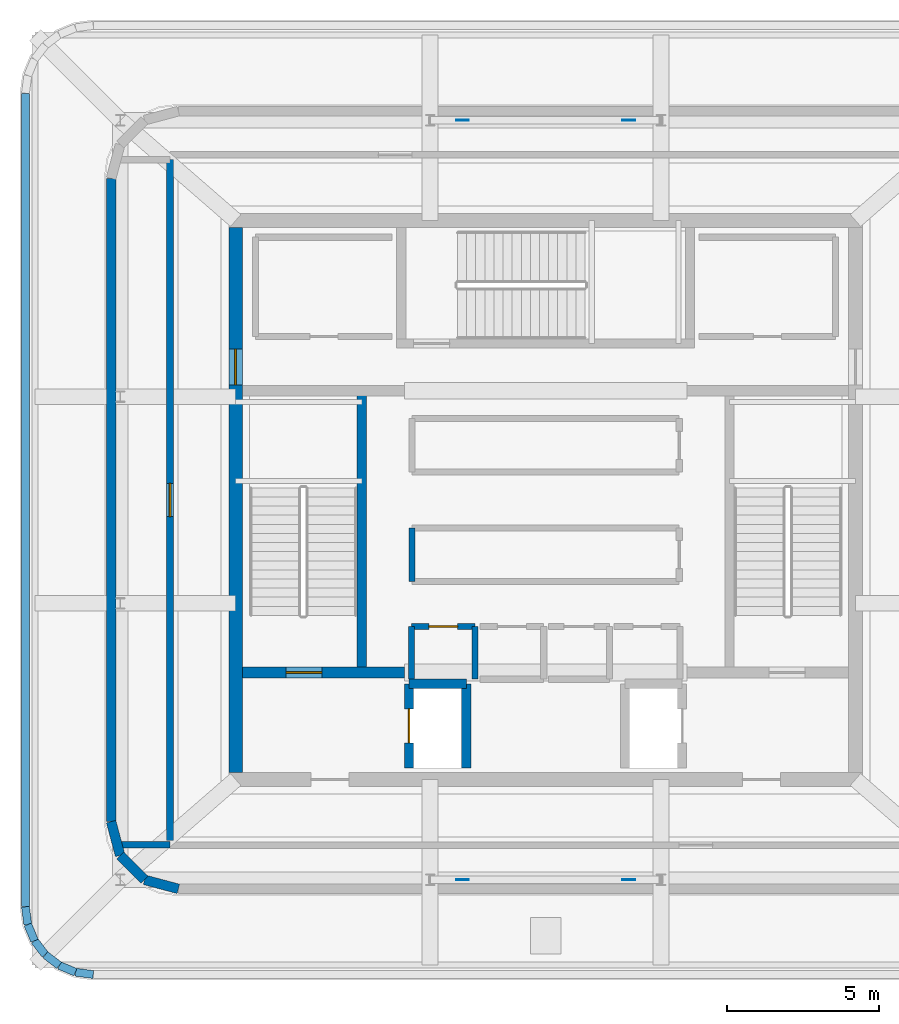
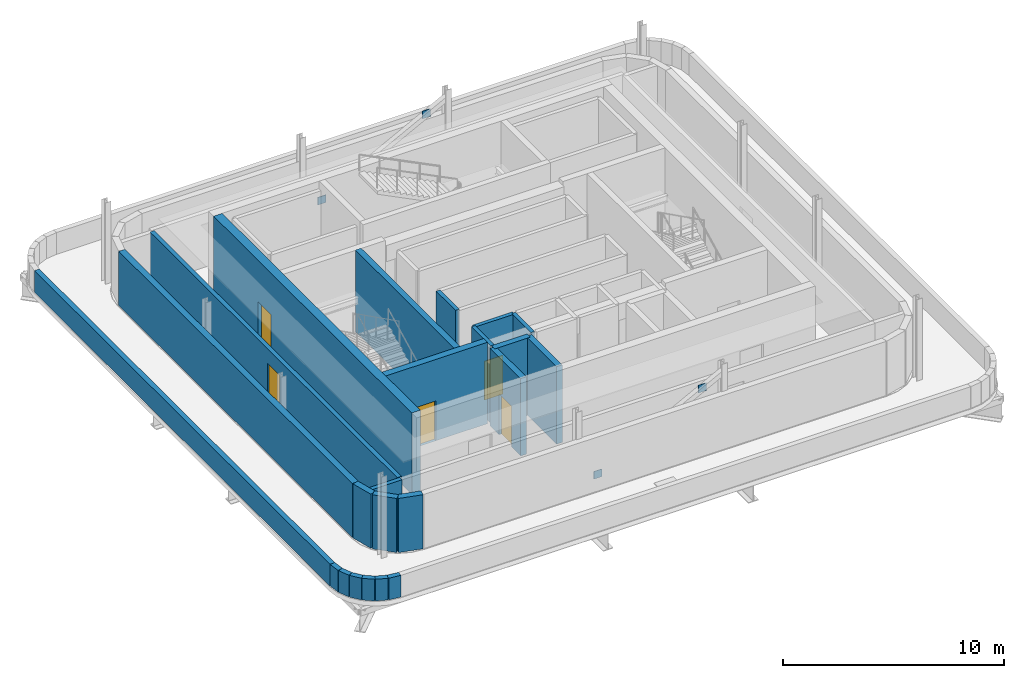
# One storey, part 2 of 5: 23 walls, 5 doors, 4 plates, 5 openings.
"""IFC4 building model written with IfcOpenShell, lengths in metres."""

from ifc_helpers import new_model, si_unit, direction, frame, frame_2d, origin, origin_2d, place, context, subcontext, project, spatial, rectangle, extrude, material, layer, layer_set, type_object, element, fill, save


model = new_model("IFC4")

# Units and contexts
model_context = context("Model", 3, precision=1e-05, world=origin(), true_north=direction((0.0, 1.0)))
body_context = subcontext(model_context, "Body", "Model", "MODEL_VIEW")
ifc_project = project(units=[si_unit("LENGTHUNIT", "METRE"), si_unit("AREAUNIT", "SQUARE_METRE"), si_unit("VOLUMEUNIT", "CUBIC_METRE"), si_unit("PLANEANGLEUNIT", "RADIAN"), si_unit("MASSUNIT", "GRAM", prefix="KILO")], contexts=[model_context])

# Site, building, storey
site_placement = place(None, origin())
site = spatial("IfcSite", under=ifc_project, at=site_placement, CompositionType="ELEMENT")
building_placement = place(site_placement, origin())
building = spatial("IfcBuilding", under=site, at=building_placement, Name="Punatoya Terracotta Tower", CompositionType="ELEMENT")
storey_placement = place(building_placement, frame((0.0, 0.0, 361.800048828125)))
storey = spatial("IfcBuildingStorey", under=building, at=storey_placement, Name="L85", CompositionType="ELEMENT", Elevation=361.800048828125)

# Plates
ifc_material_1 = material(Name="Steel S460", Category="steel")
ifc_layer_1 = layer(ifc_material_1, 0.031982421875)
ifc_layer_set_1 = layer_set([ifc_layer_1], Name="Steel S460")
plate_type = type_object("IfcPlateType", Name="PLT-END-32", PredefinedType="USERDEFINED", material=ifc_layer_set_1)
for number, where, z_axis, x_axis, name in (
    (1, (-2.736083984375, -12.5, 0.364501953125), (0.0, 0.0, 1.0), (1.0, 0.0, 0.0), "L85 Crown Brace S End Plate 1"),
    (2, (2.736083984375, -12.5, 3.215576171875), (0.0, 0.0, 1.0), (1.0, 0.0, 0.0), "L85 Crown Brace S End Plate 2"),
    (3, (-2.736083984375, 12.5, 0.364501953125), (0.0, 0.0, 1.0), (1.0, 0.0, 0.0), "L85 Crown Brace N End Plate 1"),
    (4, (2.736083984375, 12.5, 3.215576171875), (0.0, 0.0, 1.0), (1.0, 0.0, 0.0), "L85 Crown Brace N End Plate 2"),
):
    element("IfcPlate", number, at=place(storey_placement, frame(where, z_axis=z_axis, x_axis=x_axis)), inside=storey, type_object=plate_type, Name=name, ObjectType="FLANGE_PLATE", PredefinedType="USERDEFINED", context=body_context, shape_type="SweptSolid", body=[
        extrude(rectangle(XDim=0.419921875, YDim=0.031982421875, at=origin_2d()), origin(), (0.0, 0.0, 1.0), 0.419921875),
    ])

# Wall, opening, door
ifc_material_2 = material(Name="Concrete C50/60", Category="concrete")
ifc_layer_2 = layer(ifc_material_2, 0.449951171875)
ifc_layer_set_2 = layer_set([ifc_layer_2], Name="Concrete C50/60")
wall_type_1 = type_object("IfcWallType", Name="WL-COR-450", PredefinedType="SHEAR", material=ifc_layer_set_2)
wall_1_placement = place(storey_placement, frame((-10.199951171875, -8.97509765625, 0.0), z_axis=(0.0, 0.0, 1.0), x_axis=(0.0, 1.0, 0.0)))
wall_1 = element("IfcWall", 5, at=wall_1_placement, inside=storey, type_object=wall_type_1, Name="L85 Core Shear Wall W", PredefinedType="SHEAR", context=body_context, shape_type="SweptSolid", body=[
    extrude(rectangle(XDim=17.9501953125, YDim=0.449951171875, at=frame_2d((8.97509765625, 0.0))), origin(), (0.0, 0.0, 1.0), 4.5),
])
opening_1_placement = place(wall_1_placement, frame((12.764892578125, 0.0, 0.0)))
opening_1 = element("IfcOpeningElement", 6, at=opening_1_placement, cuts=wall_1, Name="Opening SD-01", PredefinedType="OPENING", context=body_context, shape_type="SweptSolid", body=[
    extrude(rectangle(XDim=1.179931640625, YDim=2.199951171875, at=frame_2d((0.58984375, 1.10009765625))), frame((0.0, 0.23486328125, 0.0), z_axis=(0.0, -1.0, 0.0), x_axis=(1.0, 0.0, 0.0)), (0.0, 0.0, 1.0), 0.469970703125),
])
ifc_material_3 = material(Name="Galvanised Steel Pressurized Stair Fire Door", Category="steel")
door_type_1 = type_object("IfcDoorType", Name="DR-STR-1180", OperationType="NOTDEFINED", PredefinedType="DOOR", material=ifc_material_3)
door_1_placement = place(opening_1_placement, origin())
door_1 = element("IfcDoor", 7, at=door_1_placement, inside=storey, type_object=door_type_1, Name="L85 Central Lift Lobby West Fire Door", OperationType="SINGLE_SWING_LEFT", OverallHeight=2.199951171875, OverallWidth=1.179931640625, PredefinedType="DOOR", context=body_context, shape_type="SweptSolid", body=[
    extrude(rectangle(XDim=1.179931640625, YDim=2.199951171875, at=frame_2d((0.58984375, 1.10009765625))), frame((0.0, 0.02490234375, 0.0), z_axis=(0.0, -1.0, 0.0), x_axis=(1.0, 0.0, 0.0)), (0.0, 0.0, 1.0), 0.050048828125),
])
fill(opening_1, door_1)

# Walls
ifc_material_4 = material(Name="Precast concrete C40/50", Category="concrete")
ifc_layer_3 = layer(ifc_material_4, 0.320068359375)
ifc_layer_set_3 = layer_set([ifc_layer_3], Name="Precast concrete C40/50")
wall_type_2 = type_object("IfcWallType", Name="WL-EXT-320", PredefinedType="SOLIDWALL", material=ifc_layer_set_3)
wall_2_placement = place(storey_placement, frame((-14.300048828125, 10.5869140625, 0.0), z_axis=(0.0, 0.0, 1.0), x_axis=(0.0, -1.0, 0.0)))
element("IfcWall", 8, at=wall_2_placement, inside=storey, type_object=wall_type_2, Name="L85 Terracotta Louvre Plant Enclosure W", PredefinedType="SOLIDWALL", context=body_context, shape_type="SweptSolid", body=[
    extrude(rectangle(XDim=21.173828125, YDim=0.320068359375, at=frame_2d((10.5869140625, 0.0))), origin(), (0.0, 0.0, 1.0), 2.993896484375),
])
wall_3_placement = place(storey_placement, frame((-14.300048828125, -10.5869140625, 0.0), z_axis=(0.0, 0.0, 1.0), x_axis=(0.25727979053, -0.966336954372, 0.0)))
element("IfcWall", 9, at=wall_3_placement, inside=storey, type_object=wall_type_2, Name="L85 Rounded Terracotta Corner Pier 14", PredefinedType="SOLIDWALL", context=body_context, shape_type="SweptSolid", body=[
    extrude(rectangle(XDim=1.151123046875, YDim=0.320068359375, at=frame_2d((0.57568359375, 0.0))), origin(), (0.0, 0.0, 1.0), 2.993896484375),
])
wall_4_placement = place(storey_placement, frame((-14.00390625, -11.69921875, 0.0), z_axis=(0.0, 0.0, 1.0), x_axis=(0.707106781187, -0.707106781187, 0.0)))
element("IfcWall", 10, at=wall_4_placement, inside=storey, type_object=wall_type_2, Name="L85 Rounded Terracotta Corner Pier 15", PredefinedType="SOLIDWALL", context=body_context, shape_type="SweptSolid", body=[
    extrude(rectangle(XDim=1.137939453125, YDim=0.320068359375, at=frame_2d((0.56884765625, 0.0))), origin(), (0.0, 0.0, 1.0), 2.993896484375),
])
wall_5_placement = place(storey_placement, frame((-13.19921875, -12.50390625, 0.0), z_axis=(0.0, 0.0, 1.0), x_axis=(0.966336954372, -0.25727979053, 0.0)))
element("IfcWall", 11, at=wall_5_placement, inside=storey, type_object=wall_type_2, Name="L85 Rounded Terracotta Corner Pier 16", PredefinedType="SOLIDWALL", context=body_context, shape_type="SweptSolid", body=[
    extrude(rectangle(XDim=1.151123046875, YDim=0.320068359375, at=frame_2d((0.57568359375, 0.0))), origin(), (0.0, 0.0, 1.0), 2.993896484375),
])
ifc_material_5 = material(Name="Concrete C40/50", Category="concrete")
ifc_layer_4 = layer(ifc_material_5, 0.219970703125)
ifc_layer_set_4 = layer_set([ifc_layer_4], Name="Concrete C40/50")
wall_type_3 = type_object("IfcWallType", Name="WL-FIR-220", PredefinedType="SOLIDWALL", material=ifc_layer_set_4)
wall_6_placement = place(storey_placement, frame((-14.126708984375, -11.35009765625, 0.0), z_axis=(0.0, 0.0, 1.0), x_axis=(1.0, 0.0, 0.0)))
element("IfcWall", 12, at=wall_6_placement, inside=storey, type_object=wall_type_3, Name="L85 Crown South Heat-Rejection and Cooling-Tower Plant Partition 26", PredefinedType="SOLIDWALL", context=body_context, shape_type="SweptSolid", body=[
    extrude(rectangle(XDim=1.7666015625, YDim=0.219970703125, at=frame_2d((0.88330078125, 0.0))), origin(), (0.0, 0.0, 1.0), 2.993896484375),
])

# Wall, opening, door
wall_7_placement = place(storey_placement, frame((-12.360107421875, 11.199951171875, 0.0), z_axis=(0.0, 0.0, 1.0), x_axis=(0.0, -1.0, 0.0)))
wall_7 = element("IfcWall", 13, at=wall_7_placement, inside=storey, type_object=wall_type_3, Name="L85 Crown West Smoke-Extract and Fan Plant Room Partition 30", PredefinedType="SOLIDWALL", context=body_context, shape_type="SweptSolid", body=[
    extrude(rectangle(XDim=22.39990234375, YDim=0.219970703125, at=frame_2d((11.199951171875, 0.0))), origin(), (0.0, 0.0, 1.0), 2.993896484375),
])
opening_2_placement = place(wall_7_placement, frame((10.64990234375, 0.0, 0.0)))
opening_2 = element("IfcOpeningElement", 14, at=opening_2_placement, cuts=wall_7, Name="Opening FD-P1", PredefinedType="OPENING", context=body_context, shape_type="SweptSolid", body=[
    extrude(rectangle(XDim=1.10009765625, YDim=2.199951171875, at=frame_2d((0.550048828125, 1.10009765625))), frame((0.0, 0.119873046875, 0.0), z_axis=(0.0, -1.0, 0.0), x_axis=(1.0, 0.0, 0.0)), (0.0, 0.0, 1.0), 0.239990234375),
])
ifc_material_6 = material(Name="Galvanised Steel Plant Fire Door", Category="steel")
door_type_2 = type_object("IfcDoorType", Name="DR-PLT-1100", OperationType="NOTDEFINED", PredefinedType="DOOR", material=ifc_material_6)
door_2_placement = place(opening_2_placement, origin())
door_2 = element("IfcDoor", 15, at=door_2_placement, inside=storey, type_object=door_type_2, Name="L85 Crown West Smoke-Extract and Fan Plant Room Fire Door", OperationType="SINGLE_SWING_RIGHT", OverallHeight=2.199951171875, OverallWidth=1.10009765625, PredefinedType="DOOR", context=body_context, shape_type="SweptSolid", body=[
    extrude(rectangle(XDim=1.10009765625, YDim=2.199951171875, at=frame_2d((0.550048828125, 1.10009765625))), frame((0.0, 0.02490234375, 0.0), z_axis=(0.0, -1.0, 0.0), x_axis=(1.0, 0.0, 0.0)), (0.0, 0.0, 1.0), 0.050048828125),
])
fill(opening_2, door_2)

# Wall
ifc_layer_5 = layer(ifc_material_5, 0.199951171875)
ifc_layer_set_5 = layer_set([ifc_layer_5], Name="Concrete C40/50")
wall_type_4 = type_object("IfcWallType", Name="WL-INT-200", PredefinedType="SOLIDWALL", material=ifc_layer_set_5)
wall_8_placement = place(storey_placement, frame((-2.320068359375, -5.89990234375, 0.0), z_axis=(0.0, 0.0, 1.0), x_axis=(0.0, 1.0, 0.0)))
element("IfcWall", 16, at=wall_8_placement, inside=storey, type_object=wall_type_4, Name="L85 Staff Male Washroom Partition 01", PredefinedType="SOLIDWALL", context=body_context, shape_type="SweptSolid", body=[
    extrude(rectangle(XDim=1.739990234375, YDim=0.199951171875, at=frame_2d((0.8701171875, 0.0))), origin(), (0.0, 0.0, 1.0), 4.280029296875),
])

# Wall, opening, door
wall_9_placement = place(storey_placement, frame((-2.320068359375, -4.159912109375, 0.0), z_axis=(0.0, 0.0, 1.0), x_axis=(-1.0, 0.0, 0.0)))
wall_9 = element("IfcWall", 17, at=wall_9_placement, inside=storey, type_object=wall_type_4, Name="L85 Staff Male Washroom Partition 02", PredefinedType="SOLIDWALL", context=body_context, shape_type="SweptSolid", body=[
    extrude(rectangle(XDim=2.099853515625, YDim=0.199951171875, at=frame_2d((1.0498046875, 0.0))), origin(), (0.0, 0.0, 1.0), 4.280029296875),
])
opening_3_placement = place(wall_9_placement, frame((0.574951171875, 0.0, 0.0)))
opening_3 = element("IfcOpeningElement", 18, at=opening_3_placement, cuts=wall_9, Name="Opening WD-01", PredefinedType="OPENING", context=body_context, shape_type="SweptSolid", body=[
    extrude(rectangle(XDim=0.949951171875, YDim=2.14990234375, at=frame_2d((0.47509765625, 1.074951171875))), frame((0.0, 0.10986328125, 0.0), z_axis=(0.0, -1.0, 0.0), x_axis=(1.0, 0.0, 0.0)), (0.0, 0.0, 1.0), 0.219970703125),
])
ifc_material_7 = material(Name="Moisture-Resistant Laminate Timber Leaf", Category="wood")
door_type_3 = type_object("IfcDoorType", Name="DR-WC-950", OperationType="NOTDEFINED", PredefinedType="DOOR", material=ifc_material_7)
door_3_placement = place(opening_3_placement, origin())
door_3 = element("IfcDoor", 19, at=door_3_placement, inside=storey, type_object=door_type_3, Name="L85 Staff Male Washroom Door", OperationType="SINGLE_SWING_LEFT", OverallHeight=2.14990234375, OverallWidth=0.949951171875, PredefinedType="DOOR", context=body_context, shape_type="SweptSolid", body=[
    extrude(rectangle(XDim=0.949951171875, YDim=2.14990234375, at=frame_2d((0.47509765625, 1.074951171875))), frame((0.0, 0.02490234375, 0.0), z_axis=(0.0, -1.0, 0.0), x_axis=(1.0, 0.0, 0.0)), (0.0, 0.0, 1.0), 0.050048828125),
])
fill(opening_3, door_3)

# Walls
wall_10_placement = place(storey_placement, frame((-4.419921875, -4.159912109375, 0.0), z_axis=(0.0, 0.0, 1.0), x_axis=(0.0, -1.0, 0.0)))
element("IfcWall", 20, at=wall_10_placement, inside=storey, type_object=wall_type_4, Name="L85 Staff Male Washroom Partition 03", PredefinedType="SOLIDWALL", context=body_context, shape_type="SweptSolid", body=[
    extrude(rectangle(XDim=1.739990234375, YDim=0.199951171875, at=frame_2d((0.8701171875, 0.0))), origin(), (0.0, 0.0, 1.0), 4.280029296875),
])
wall_11_placement = place(storey_placement, frame((-4.39990234375, -0.919921875, 0.0), z_axis=(0.0, 0.0, 1.0), x_axis=(0.0, -1.0, 0.0)))
element("IfcWall", 21, at=wall_11_placement, inside=storey, type_object=wall_type_4, Name="L85 Crown Emergency Power Switchroom Partition 14", PredefinedType="SOLIDWALL", context=body_context, shape_type="SweptSolid", body=[
    extrude(rectangle(XDim=1.760009765625, YDim=0.199951171875, at=frame_2d((0.8798828125, 0.0))), origin(), (0.0, 0.0, 1.0), 4.280029296875),
])
ifc_layer_6 = layer(ifc_material_4, 0.260009765625)
ifc_layer_set_6 = layer_set([ifc_layer_6], Name="Precast concrete C40/50")
wall_type_5 = type_object("IfcWallType", Name="WL-PAR-260", PredefinedType="PARAPET", material=ifc_layer_set_6)
wall_12_placement = place(storey_placement, frame((-17.1201171875, 13.38818359375, 0.0), z_axis=(0.0, 0.0, 1.0), x_axis=(0.0, -1.0, 0.0)))
element("IfcWall", 22, at=wall_12_placement, inside=storey, type_object=wall_type_5, Name="L85 Roof Parapet Wall PAR-L85-STEP-21", PredefinedType="PARAPET", context=body_context, shape_type="SweptSolid", body=[
    extrude(rectangle(XDim=26.7763671875, YDim=0.260009765625, at=frame_2d((13.38818359375, 0.0))), origin(), (0.0, 0.0, 1.0), 1.199951171875),
])
wall_13_placement = place(storey_placement, frame((-17.1201171875, -13.38818359375, 0.0), z_axis=(0.0, 0.0, 1.0), x_axis=(0.130946029567, -0.991389498301, 0.0)))
element("IfcWall", 23, at=wall_13_placement, inside=storey, type_object=wall_type_5, Name="L85 Roof Parapet Wall PAR-L85-STEP-22", PredefinedType="PARAPET", context=body_context, shape_type="SweptSolid", body=[
    extrude(rectangle(XDim=0.591064453125, YDim=0.260009765625, at=frame_2d((0.29541015625, 0.0))), origin(), (0.0, 0.0, 1.0), 1.199951171875),
])
for number, where, z_axis, x_axis, name in (
    (24, (-17.042724609375, -13.97412109375, 0.0), (0.0, 0.0, 1.0), (0.382339381785, -0.924021967886, 0.0), "L85 Roof Parapet Wall PAR-L85-STEP-23"),
    (25, (-16.8212890625, -14.50927734375, 0.0), (0.0, 0.0, 1.0), (0.608732403374, -0.7933756116, 0.0), "L85 Roof Parapet Wall PAR-L85-STEP-24"),
    (26, (-16.46875, -14.96875, 0.0), (0.0, 0.0, 1.0), (0.7933756116, -0.608732403374, 0.0), "L85 Roof Parapet Wall PAR-L85-STEP-25"),
    (27, (-16.00927734375, -15.3212890625, 0.0), (0.0, 0.0, 1.0), (0.924021967886, -0.382339381785, 0.0), "L85 Roof Parapet Wall PAR-L85-STEP-26"),
):
    element("IfcWall", number, at=place(storey_placement, frame(where, z_axis=z_axis, x_axis=x_axis)), inside=storey, type_object=wall_type_5, Name=name, PredefinedType="PARAPET", context=body_context, shape_type="SweptSolid", body=[
        extrude(rectangle(XDim=0.5791015625, YDim=0.260009765625, at=frame_2d((0.28955078125, 0.0))), origin(), (0.0, 0.0, 1.0), 1.199951171875),
    ])
wall_14_placement = place(storey_placement, frame((-15.47412109375, -15.542724609375, 0.0), z_axis=(0.0, 0.0, 1.0), x_axis=(0.991389498301, -0.130946029567, 0.0)))
element("IfcWall", 28, at=wall_14_placement, inside=storey, type_object=wall_type_5, Name="L85 Roof Parapet Wall PAR-L85-STEP-27", PredefinedType="PARAPET", context=body_context, shape_type="SweptSolid", body=[
    extrude(rectangle(XDim=0.591064453125, YDim=0.260009765625, at=frame_2d((0.29541015625, 0.0))), origin(), (0.0, 0.0, 1.0), 1.199951171875),
])
ifc_layer_7 = layer(ifc_material_5, 0.300048828125)
ifc_layer_set_7 = layer_set([ifc_layer_7], Name="Concrete C40/50")
wall_type_6 = type_object("IfcWallType", Name="WL-SHF-300", PredefinedType="SOLIDWALL", material=ifc_layer_set_7)
wall_15_placement = place(storey_placement, frame((-6.050048828125, -5.5, 0.0), z_axis=(0.0, 0.0, 1.0), x_axis=(0.0, 1.0, 0.0)))
element("IfcWall", 29, at=wall_15_placement, inside=storey, type_object=wall_type_6, Name="L85 Structural Stair Shaft Wall SW-ST1-E", PredefinedType="SOLIDWALL", context=body_context, shape_type="SweptSolid", body=[
    extrude(rectangle(XDim=8.949951171875, YDim=0.300048828125, at=frame_2d((4.47509765625, 0.0))), origin(), (0.0, 0.0, 1.0), 4.5),
])

# Wall, opening, door
wall_16_placement = place(storey_placement, frame((-4.489990234375, -8.820068359375, 0.0), z_axis=(0.0, 0.0, 1.0), x_axis=(0.0, 1.0, 0.0)))
wall_16 = element("IfcWall", 30, at=wall_16_placement, inside=storey, type_object=wall_type_6, Name="L85 FFL-1 Front Hoistway Wall", PredefinedType="SOLIDWALL", context=body_context, shape_type="SweptSolid", body=[
    extrude(rectangle(XDim=2.77001953125, YDim=0.300048828125, at=frame_2d((1.385009765625, 0.0))), origin(), (0.0, 0.0, 1.0), 4.280029296875),
])
opening_4_placement = place(wall_16_placement, frame((0.824951171875, 0.0, 0.0)))
opening_4 = element("IfcOpeningElement", 31, at=opening_4_placement, cuts=wall_16, Name="Opening LD-02", PredefinedType="OPENING", context=body_context, shape_type="SweptSolid", body=[
    extrude(rectangle(XDim=1.1201171875, YDim=2.25, at=frame_2d((0.56005859375, 1.125))), frame((0.0, 0.159912109375, 0.0), z_axis=(0.0, -1.0, 0.0), x_axis=(1.0, 0.0, 0.0)), (0.0, 0.0, 1.0), 0.320068359375),
])
ifc_material_8 = material(Name="Stainless Steel Lift Landing Door", Category="steel")
door_type_4 = type_object("IfcDoorType", Name="DR-LND-1120", OperationType="NOTDEFINED", PredefinedType="DOOR", material=ifc_material_8)
door_4_placement = place(opening_4_placement, origin())
door_4 = element("IfcDoor", 32, at=door_4_placement, inside=storey, type_object=door_type_4, Name="L85 Firefighting Lift FFL-1 Sliding Landing Door", OperationType="SLIDING_TO_LEFT", OverallHeight=2.25, OverallWidth=1.1201171875, PredefinedType="DOOR", context=body_context, shape_type="SweptSolid", body=[
    extrude(rectangle(XDim=1.1201171875, YDim=2.25, at=frame_2d((0.56005859375, 1.125))), frame((0.0, 0.02490234375, 0.0), z_axis=(0.0, -1.0, 0.0), x_axis=(1.0, 0.0, 0.0)), (0.0, 0.0, 1.0), 0.050048828125),
])
fill(opening_4, door_4)

# Walls
wall_17_placement = place(storey_placement, frame((-2.610107421875, -8.820068359375, 0.0), z_axis=(0.0, 0.0, 1.0), x_axis=(0.0, 1.0, 0.0)))
element("IfcWall", 33, at=wall_17_placement, inside=storey, type_object=wall_type_6, Name="L85 FFL-1 Rear Hoistway Wall", PredefinedType="SOLIDWALL", context=body_context, shape_type="SweptSolid", body=[
    extrude(rectangle(XDim=2.77001953125, YDim=0.300048828125, at=frame_2d((1.385009765625, 0.0))), origin(), (0.0, 0.0, 1.0), 4.280029296875),
])
wall_18_placement = place(storey_placement, frame((-4.489990234375, -6.050048828125, 0.0), z_axis=(0.0, 0.0, 1.0), x_axis=(1.0, 0.0, 0.0)))
element("IfcWall", 34, at=wall_18_placement, inside=storey, type_object=wall_type_6, Name="L85 FFL-1 North Hoistway Wall", PredefinedType="SOLIDWALL", context=body_context, shape_type="SweptSolid", body=[
    extrude(rectangle(XDim=1.8798828125, YDim=0.300048828125, at=frame_2d((0.93994140625, 0.0))), origin(), (0.0, 0.0, 1.0), 4.280029296875),
])

# Wall, opening, door
ifc_layer_8 = layer(ifc_material_2, 0.35009765625)
ifc_layer_set_8 = layer_set([ifc_layer_8], Name="Concrete C50/60")
wall_type_7 = type_object("IfcWallType", Name="WL-SHF-350", PredefinedType="SOLIDWALL", material=ifc_layer_set_8)
wall_19_placement = place(storey_placement, frame((-9.97509765625, -5.679931640625, 0.0), z_axis=(0.0, 0.0, 1.0), x_axis=(1.0, 0.0, 0.0)))
wall_19 = element("IfcWall", 35, at=wall_19_placement, inside=storey, type_object=wall_type_7, Name="L85 Core Web Wall CSW-L", PredefinedType="SOLIDWALL", context=body_context, shape_type="SweptSolid", body=[
    extrude(rectangle(XDim=5.3251953125, YDim=0.35009765625, at=frame_2d((2.66259765625, 0.0))), origin(), (0.0, 0.0, 1.0), 4.5),
])
opening_5_placement = place(wall_19_placement, frame((1.43505859375, 0.0, 0.0)))
opening_5 = element("IfcOpeningElement", 36, at=opening_5_placement, cuts=wall_19, Name="Opening SD-01", PredefinedType="OPENING", context=body_context, shape_type="SweptSolid", body=[
    extrude(rectangle(XDim=1.179931640625, YDim=2.199951171875, at=frame_2d((0.58984375, 1.10009765625))), frame((0.0, 0.18505859375, 0.0), z_axis=(0.0, -1.0, 0.0), x_axis=(1.0, 0.0, 0.0)), (0.0, 0.0, 1.0), 0.3701171875),
])
door_5_placement = place(opening_5_placement, origin())
door_5 = element("IfcDoor", 37, at=door_5_placement, inside=storey, type_object=door_type_1, Name="L85 Stair ST-1 Smokeproof Lobby Fire Door", OperationType="SINGLE_SWING_LEFT", OverallHeight=2.199951171875, OverallWidth=1.179931640625, PredefinedType="DOOR", context=body_context, shape_type="SweptSolid", body=[
    extrude(rectangle(XDim=1.179931640625, YDim=2.199951171875, at=frame_2d((0.58984375, 1.10009765625))), frame((0.0, 0.02490234375, 0.0), z_axis=(0.0, -1.0, 0.0), x_axis=(1.0, 0.0, 0.0)), (0.0, 0.0, 1.0), 0.050048828125),
])
fill(opening_5, door_5)

save(model, "model.ifc")
